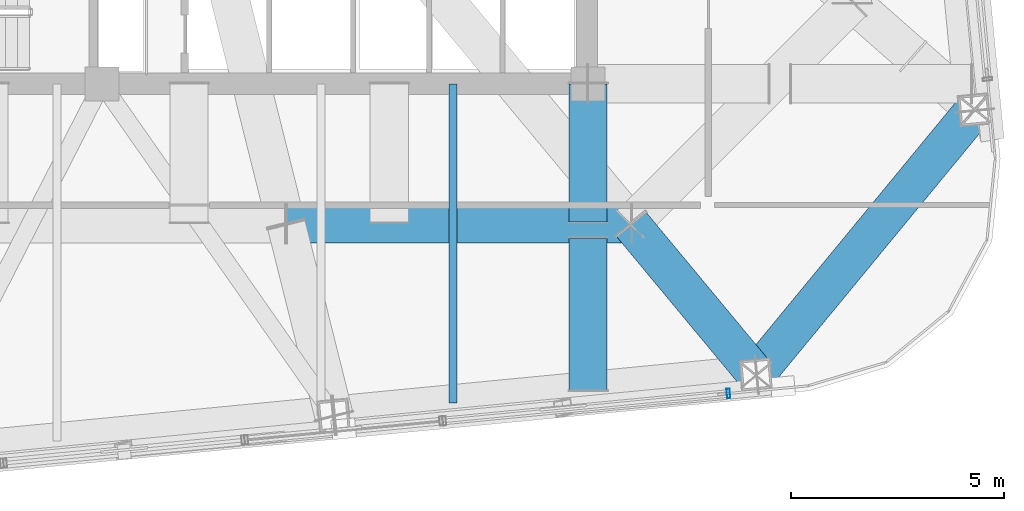
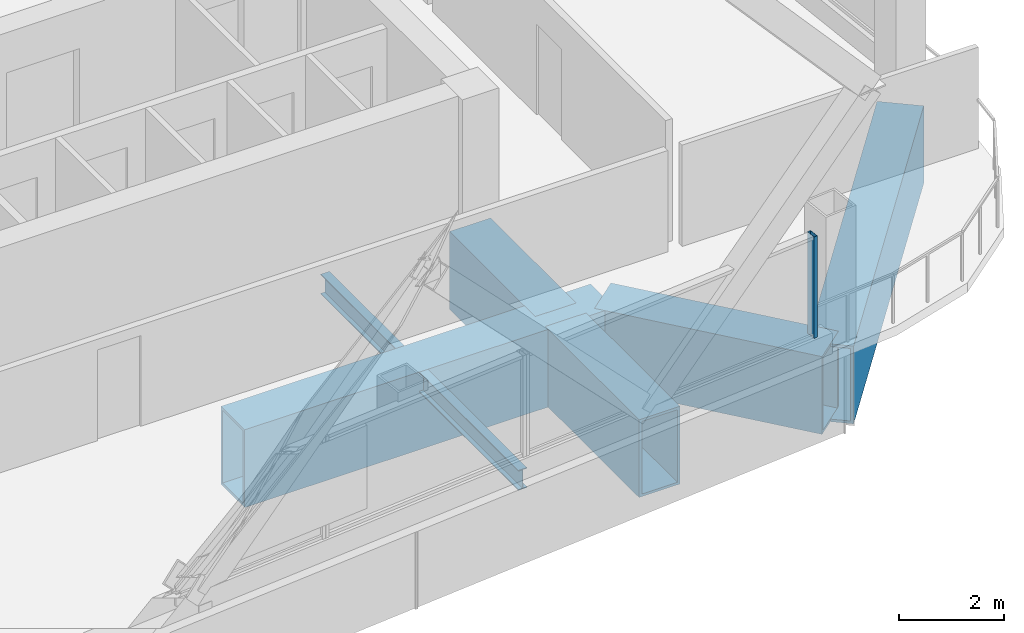
# One storey, part 14 of 37: 6 beams, 1 member, 1 element without a shape of its own.
"""IFC4 building model written with IfcOpenShell, lengths in metres."""

from ifc_helpers import new_model, si_unit, direction, frame, origin, origin_2d, place, context, subcontext, project, spatial, hollow_rectangle, i_section, extrude, material, layer, layer_set, material_profile, profile_set, type_object, element, aggregate, save


model = new_model("IFC4")

# Units and contexts
model_context = context("Model", 3, precision=1e-05, world=origin(), true_north=direction((0.0, 1.0)))
body_context = subcontext(model_context, "Body", "Model", "MODEL_VIEW")
ifc_project = project(units=[si_unit("LENGTHUNIT", "METRE"), si_unit("AREAUNIT", "SQUARE_METRE"), si_unit("VOLUMEUNIT", "CUBIC_METRE"), si_unit("PLANEANGLEUNIT", "RADIAN"), si_unit("MASSUNIT", "GRAM", prefix="KILO")], contexts=[model_context])

# Site, building, storey
site_placement = place(None, origin())
site = spatial("IfcSite", under=ifc_project, at=site_placement, CompositionType="ELEMENT")
building_placement = place(site_placement, origin())
building = spatial("IfcBuilding", under=site, at=building_placement, Name="Qhalaya Broadcast Tower", CompositionType="ELEMENT")
storey_placement = place(building_placement, frame((0.0, 0.0, 156.14990234375)))
storey = spatial("IfcBuildingStorey", under=building, at=storey_placement, Name="L45", CompositionType="ELEMENT", Elevation=156.14990234375)

# Beams
ifc_material_1 = material(Name="Structural Steel ASTM A572 Grade 50", Category="steel")
ifc_material_profile_1 = material_profile(ifc_material_1, hollow_rectangle(XDim=0.89990234375, YDim=1.800048828125, WallThickness=0.06005859375, at=origin_2d()), Name="BOX 900x1800x60")
ifc_profile_set_1 = profile_set([ifc_material_profile_1], Name="Structural Steel ASTM A572 Grade 50")
beam_type_1 = type_object("IfcBeamType", Name="Block Cantilever Transfer Box Girder TG1", PredefinedType="USERDEFINED", material=ifc_profile_set_1)
beam_1_placement = place(storey_placement, frame((13.3203125, -15.58203125, -1.119873046875), z_axis=(0.636085107008, 0.771618906354, 0.0), x_axis=(-0.771618906354, 0.636085107008, 0.0)))
element("IfcBeam", 1, at=beam_1_placement, inside=storey, type_object=beam_type_1, Name="L45 TG1 L45-SPR-04", ObjectType="GIRDER", PredefinedType="USERDEFINED", context=body_context, shape_type="SweptSolid", body=[
    extrude(hollow_rectangle(XDim=0.89990234375, YDim=1.800048828125, WallThickness=0.06005859375, at=origin_2d()), origin(), (0.0, 0.0, 1.0), 8.06103515625),
])
beam_2_placement = place(storey_placement, frame((2.280029296875, -12.0400390625, -1.119873046875), z_axis=(1.0, 0.0, 0.0), x_axis=(0.0, 1.0, 0.0)))
element("IfcBeam", 2, at=beam_2_placement, inside=storey, type_object=beam_type_1, Name="L45 TG1 L45-TGL-03", ObjectType="GIRDER", PredefinedType="USERDEFINED", context=body_context, shape_type="SweptSolid", body=[
    extrude(hollow_rectangle(XDim=0.89990234375, YDim=1.800048828125, WallThickness=0.06005859375, at=origin_2d()), origin(), (0.0, 0.0, 1.0), 8.099853515625),
])
beam_3_placement = place(storey_placement, frame((9.375, -12.0, -1.119873046875), z_axis=(0.0, 1.0, 0.0), x_axis=(-1.0, 0.0, 0.0)))
element("IfcBeam", 3, at=beam_3_placement, inside=storey, type_object=beam_type_1, Name="L45 TG1 L45-TGISE-1", ObjectType="GIRDER", PredefinedType="USERDEFINED", context=body_context, shape_type="SweptSolid", body=[
    extrude(hollow_rectangle(XDim=0.89990234375, YDim=1.800048828125, WallThickness=0.06005859375, at=origin_2d()), origin(), (0.0, 0.0, 1.0), 3.25),
])
beam_4_placement = place(storey_placement, frame((10.3798828125, -12.0400390625, -1.119873046875), z_axis=(0.638743528113, -0.76941971985, 0.0), x_axis=(0.76941971985, 0.638743528113, 0.0)))
element("IfcBeam", 4, at=beam_4_placement, inside=storey, type_object=beam_type_1, Name="L45 Cantilever Transfer Box Girder 04", ObjectType="GIRDER", PredefinedType="USERDEFINED", context=body_context, shape_type="SweptSolid", body=[
    extrude(hollow_rectangle(XDim=0.89990234375, YDim=1.800048828125, WallThickness=0.06005859375, at=origin_2d()), origin(), (0.0, 0.0, 1.0), 4.603515625),
])
beam_5_placement = place(storey_placement, frame((9.375, -15.94189453125, -1.119873046875), z_axis=(0.0, 1.0, 0.0), x_axis=(-1.0, 0.0, 0.0)))
element("IfcBeam", 5, at=beam_5_placement, inside=storey, type_object=beam_type_1, Name="L45 TG1 L45-PGXS2-OV1", ObjectType="GIRDER", PredefinedType="USERDEFINED", context=body_context, shape_type="SweptSolid", body=[
    extrude(hollow_rectangle(XDim=0.89990234375, YDim=1.800048828125, WallThickness=0.06005859375, at=origin_2d()), origin(), (0.0, 0.0, 1.0), 3.56201171875),
])
ifc_material_2 = material(Name="Structural Steel ASTM A992 Grade 50", Category="steel")
ifc_material_profile_2 = material_profile(ifc_material_2, i_section(OverallWidth=0.19189453125, OverallDepth=0.462890625, WebThickness=0.010498046875, FlangeThickness=0.017578125, at=origin_2d()), Name="W18X60")
ifc_profile_set_2 = profile_set([ifc_material_profile_2], Name="Structural Steel ASTM A992 Grade 50")
beam_type_2 = type_object("IfcBeamType", Name="Composite Floor Joist J03", PredefinedType="JOIST", material=ifc_profile_set_2)
beam_6_placement = place(storey_placement, frame((6.199951171875, -16.24755859375, -0.451416015625), z_axis=(0.0, 1.0, 0.0), x_axis=(-1.0, 0.0, 0.0)))
element("IfcBeam", 6, at=beam_6_placement, inside=storey, type_object=beam_type_2, Name="L45 J03 L45-JNS5-1", PredefinedType="JOIST", context=body_context, shape_type="SweptSolid", body=[
    extrude(i_section(OverallWidth=0.19189453125, OverallDepth=0.462890625, WebThickness=0.010498046875, FlangeThickness=0.017578125, at=origin_2d()), origin(), (0.0, 0.0, 1.0), 7.49755859375),
])

# Curtain wall, member
ifc_material_3 = material(Name="Fired Architectural Terracotta", Category="masonry")
ifc_layer = layer(ifc_material_3, 0.219970703125, Name="Fired Architectural Terracotta")
ifc_layer_set = layer_set([ifc_layer], Name="Fired Architectural Terracotta")
curtain_wall_type = type_object("IfcCurtainWallType", Name="Block-Cap Unitised Terracotta Spandrel Wall CW-07", PredefinedType="NOTDEFINED", material=ifc_layer_set)
curtain_wall_placement = place(storey_placement, origin())
curtain_wall = element("IfcCurtainWall", 7, at=curtain_wall_placement, inside=storey, type_object=curtain_wall_type, Name="L45 Unitised Curtain Wall L45-CW-S5", PredefinedType="NOTDEFINED")
ifc_material_4 = material(Name="Anodised Aluminium 6063-T6", Category="aluminium")
ifc_material_profile_3 = material_profile(ifc_material_4, hollow_rectangle(XDim=0.074951171875, YDim=0.219970703125, WallThickness=0.00390625, at=origin_2d()), Name="ALU-MUL 75x220x4")
ifc_profile_set_3 = profile_set([ifc_material_profile_3], Name="Anodised Aluminium 6063-T6")
member_type = type_object("IfcMemberType", Name="Unitised Curtain-Wall Mullion M01", PredefinedType="MULLION", material=ifc_profile_set_3)
member_placement = place(storey_placement, frame((12.67236328125, -16.026123046875, 0.47998046875), z_axis=(0.0, 0.0, 1.0), x_axis=(0.99539669829, 0.095840560477, 0.0)))
member = element("IfcMember", 8, at=member_placement, type_object=member_type, Name="CW-07 mullion 2", PredefinedType="MULLION", context=body_context, shape_type="SweptSolid", body=[
    extrude(hollow_rectangle(XDim=0.074951171875, YDim=0.219970703125, WallThickness=0.00390625, at=origin_2d()), origin(), (0.0, 0.0, 1.0), 2.35009765625),
])
aggregate(curtain_wall, [member])

save(model, "model.ifc")
